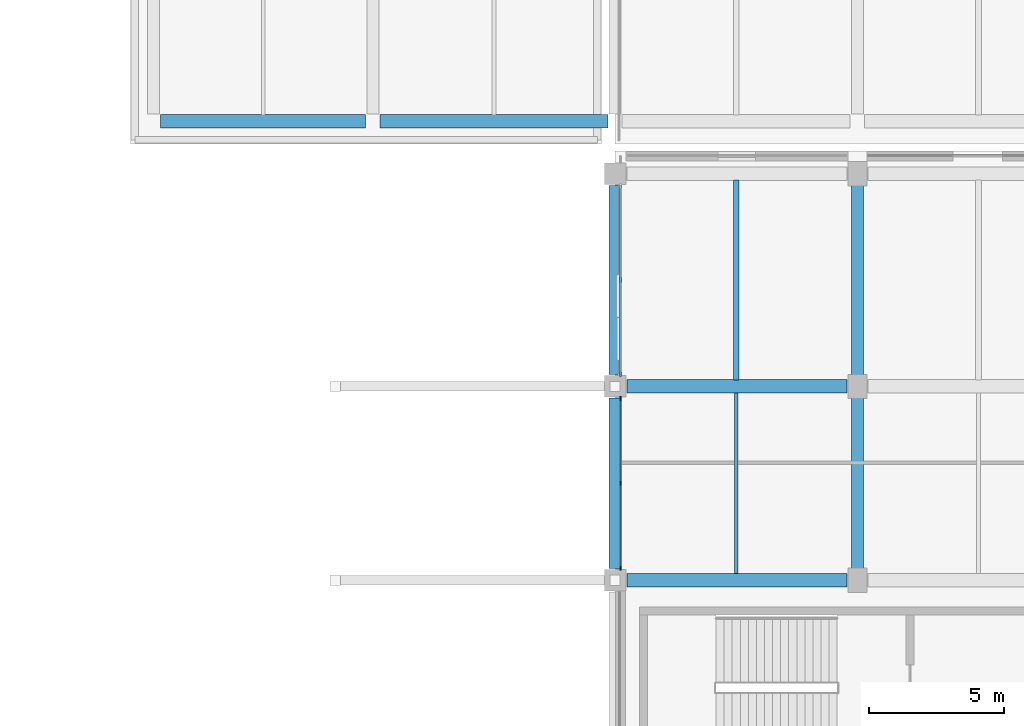
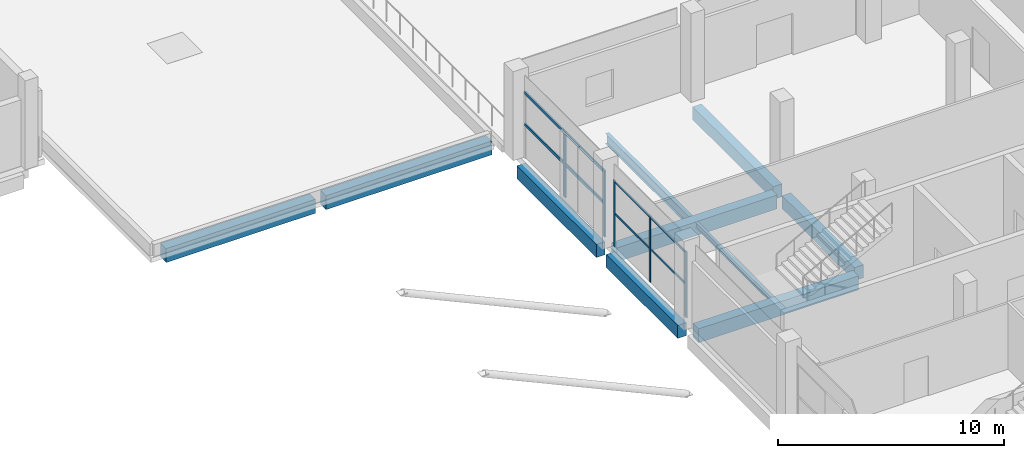
# One storey, part 30 of 82: 10 beams, 9 members, 2 elements without a shape of their own.
"""IFC4 building model written with IfcOpenShell, lengths in metres."""

from ifc_helpers import new_model, si_unit, direction, frame, origin, origin_2d, place, context, subcontext, project, spatial, rectangle, i_section, extrude, material, material_profile, profile_set, type_object, element, aggregate, save


model = new_model("IFC4")

# Units and contexts
model_context = context("Model", 3, precision=1e-05, world=origin(), true_north=direction((0.0, 1.0)))
body_context = subcontext(model_context, "Body", "Model", "MODEL_VIEW")
ifc_project = project(units=[si_unit("LENGTHUNIT", "METRE"), si_unit("AREAUNIT", "SQUARE_METRE"), si_unit("VOLUMEUNIT", "CUBIC_METRE"), si_unit("PLANEANGLEUNIT", "RADIAN"), si_unit("MASSUNIT", "GRAM", prefix="KILO"), si_unit("THERMODYNAMICTEMPERATUREUNIT", "KELVIN"), si_unit("POWERUNIT", "WATT")], contexts=[model_context])

# Site, building, storey
site_placement = place(None, origin())
site = spatial("IfcSite", under=ifc_project, at=site_placement, CompositionType="ELEMENT")
building_placement = place(site_placement, origin())
building = spatial("IfcBuilding", under=site, at=building_placement, Name="Sindhuravela Promenade Stadium", CompositionType="ELEMENT")
storey_placement = place(building_placement, frame((0.0, 0.0, 14.39990234375)))
storey = spatial("IfcBuildingStorey", under=building, at=storey_placement, Name="L03", CompositionType="ELEMENT", Elevation=14.39990234375)

# Curtain wall, members
ifc_material_1 = material(Name="Anodised architectural aluminium 6063-T6", Category="aluminium")
curtain_wall_type_1 = type_object("IfcCurtainWallType", Name="CW-MOD-7", PredefinedType="NOTDEFINED", material=ifc_material_1)
curtain_wall_1_placement = place(storey_placement, origin())
curtain_wall_1 = element("IfcCurtainWall", 1, at=curtain_wall_1_placement, inside=storey, type_object=curtain_wall_type_1, Name="Bronze curtain wall CW-EAST-L03-126", PredefinedType="NOTDEFINED")
ifc_material_profile_1 = material_profile(ifc_material_1, rectangle(XDim=0.074951171875, YDim=0.175048828125, at=origin_2d()), Name="ALU MULL 75x175")
ifc_profile_set_1 = profile_set([ifc_material_profile_1], Name="Anodised architectural aluminium 6063-T6")
member_type_1 = type_object("IfcMemberType", Name="CW-MUL-1", PredefinedType="MULLION", material=ifc_profile_set_1)
member_1_placement = place(storey_placement, frame((180.199951171875, 117.449951171875, 0.0), z_axis=(0.0, 0.0, 1.0), x_axis=(1.0, 0.0, 0.0)))
member_1 = element("IfcMember", 2, at=member_1_placement, type_object=member_type_1, Name="Curtain wall mullion CW-EAST-L03-126-M1", PredefinedType="MULLION", context=body_context, shape_type="SweptSolid", body=[
    extrude(rectangle(XDim=0.074951171875, YDim=0.175048828125, at=origin_2d()), origin(), (0.0, 0.0, 1.0), 3.580078125),
])
member_2_placement = place(storey_placement, frame((180.199951171875, 120.949951171875, 0.0), z_axis=(0.0, 0.0, 1.0), x_axis=(1.0, 0.0, 0.0)))
member_2 = element("IfcMember", 3, at=member_2_placement, type_object=member_type_1, Name="Curtain wall mullion CW-EAST-L03-126-M2", PredefinedType="MULLION", context=body_context, shape_type="SweptSolid", body=[
    extrude(rectangle(XDim=0.074951171875, YDim=0.175048828125, at=origin_2d()), origin(), (0.0, 0.0, 1.0), 3.580078125),
])

curtain_wall_type_2 = type_object("IfcCurtainWallType", Name="CW-MOD-6", PredefinedType="NOTDEFINED", material=ifc_material_1)
curtain_wall_2_placement = place(storey_placement, origin())
curtain_wall_2 = element("IfcCurtainWall", 4, at=curtain_wall_2_placement, inside=storey, type_object=curtain_wall_type_2, Name="Bronze curtain wall CW-EAST-L03-125", PredefinedType="NOTDEFINED")
ifc_material_profile_2 = material_profile(ifc_material_1, rectangle(XDim=0.054931640625, YDim=0.14990234375, at=origin_2d()), Name="ALU M55x150")
ifc_profile_set_2 = profile_set([ifc_material_profile_2], Name="Anodised architectural aluminium 6063-T6")
member_type_2 = type_object("IfcMemberType", Name="CW-MUL-6", PredefinedType="MULLION", material=ifc_profile_set_2)
member_3_placement = place(storey_placement, frame((180.199951171875, 110.25, 0.0), z_axis=(0.0, 0.0, 1.0), x_axis=(1.0, 0.0, 0.0)))
member_3 = element("IfcMember", 5, at=member_3_placement, type_object=member_type_2, Name="Curtain wall mullion CW-EAST-L03-125-M1", PredefinedType="MULLION", context=body_context, shape_type="SweptSolid", body=[
    extrude(rectangle(XDim=0.054931640625, YDim=0.14990234375, at=origin_2d()), origin(), (0.0, 0.0, 1.0), 3.580078125),
])
member_4_placement = place(storey_placement, frame((180.199951171875, 113.39990234375, 0.0), z_axis=(0.0, 0.0, 1.0), x_axis=(1.0, 0.0, 0.0)))
member_4 = element("IfcMember", 6, at=member_4_placement, type_object=member_type_2, Name="Curtain wall mullion CW-EAST-L03-125-M2", PredefinedType="MULLION", context=body_context, shape_type="SweptSolid", body=[
    extrude(rectangle(XDim=0.054931640625, YDim=0.14990234375, at=origin_2d()), origin(), (0.0, 0.0, 1.0), 3.580078125),
])
member_5_placement = place(storey_placement, frame((180.199951171875, 116.550048828125, 0.0), z_axis=(0.0, 0.0, 1.0), x_axis=(1.0, 0.0, 0.0)))
member_5 = element("IfcMember", 7, at=member_5_placement, type_object=member_type_2, Name="Curtain wall mullion CW-EAST-L03-125-M3", PredefinedType="MULLION", context=body_context, shape_type="SweptSolid", body=[
    extrude(rectangle(XDim=0.054931640625, YDim=0.14990234375, at=origin_2d()), origin(), (0.0, 0.0, 1.0), 3.580078125),
])

# Member
ifc_material_profile_3 = material_profile(ifc_material_1, rectangle(XDim=0.074951171875, YDim=0.14990234375, at=origin_2d()), Name="ALU TRAN 75x150")
ifc_profile_set_3 = profile_set([ifc_material_profile_3], Name="Anodised architectural aluminium 6063-T6")
member_type_3 = type_object("IfcMemberType", Name="CW-TRN-1", PredefinedType="USERDEFINED", material=ifc_profile_set_3)
member_6_placement = place(storey_placement, frame((180.199951171875, 117.425048828125, 1.7900390625), z_axis=(0.0, 1.0, 0.0), x_axis=(-1.0, 0.0, 0.0)))
member_6 = element("IfcMember", 8, at=member_6_placement, type_object=member_type_3, Name="Curtain wall transom CW-EAST-L03-126-T1", ObjectType="TRANSOM", PredefinedType="USERDEFINED", context=body_context, shape_type="SweptSolid", body=[
    extrude(rectangle(XDim=0.074951171875, YDim=0.14990234375, at=origin_2d()), origin(), (0.0, 0.0, 1.0), 7.050048828125),
])

member_7_placement = place(storey_placement, frame((180.199951171875, 117.425048828125, 3.5), z_axis=(0.0, 1.0, 0.0), x_axis=(-1.0, 0.0, 0.0)))
member_7 = element("IfcMember", 9, at=member_7_placement, type_object=member_type_3, Name="Curtain wall transom CW-EAST-L03-126-T2", ObjectType="TRANSOM", PredefinedType="USERDEFINED", context=body_context, shape_type="SweptSolid", body=[
    extrude(rectangle(XDim=0.074951171875, YDim=0.14990234375, at=origin_2d()), origin(), (0.0, 0.0, 1.0), 7.050048828125),
])

aggregate(curtain_wall_1, [member_1, member_2, member_6, member_7])

ifc_material_profile_4 = material_profile(ifc_material_1, rectangle(XDim=0.054931640625, YDim=0.10498046875, at=origin_2d()), Name="ALU T55x105")
ifc_profile_set_4 = profile_set([ifc_material_profile_4], Name="Anodised architectural aluminium 6063-T6")
member_type_4 = type_object("IfcMemberType", Name="CW-TRN-6", PredefinedType="USERDEFINED", material=ifc_profile_set_4)
member_8_placement = place(storey_placement, frame((180.199951171875, 110.22509765625, 1.7900390625), z_axis=(0.0, 1.0, 0.0), x_axis=(-1.0, 0.0, 0.0)))
member_8 = element("IfcMember", 10, at=member_8_placement, type_object=member_type_4, Name="Curtain wall transom CW-EAST-L03-125-T1", ObjectType="TRANSOM", PredefinedType="USERDEFINED", context=body_context, shape_type="SweptSolid", body=[
    extrude(rectangle(XDim=0.054931640625, YDim=0.10498046875, at=origin_2d()), origin(), (0.0, 0.0, 1.0), 6.349853515625),
])

member_9_placement = place(storey_placement, frame((180.199951171875, 110.22509765625, 3.5), z_axis=(0.0, 1.0, 0.0), x_axis=(-1.0, 0.0, 0.0)))
member_9 = element("IfcMember", 11, at=member_9_placement, type_object=member_type_4, Name="Curtain wall transom CW-EAST-L03-125-T2", ObjectType="TRANSOM", PredefinedType="USERDEFINED", context=body_context, shape_type="SweptSolid", body=[
    extrude(rectangle(XDim=0.054931640625, YDim=0.10498046875, at=origin_2d()), origin(), (0.0, 0.0, 1.0), 6.349853515625),
])

aggregate(curtain_wall_2, [member_3, member_4, member_5, member_8, member_9])

# Beams
ifc_material_2 = material(Name="Concrete M40", Category="concrete")
ifc_material_profile_5 = material_profile(ifc_material_2, rectangle(XDim=0.449951171875, YDim=0.699951171875, at=origin_2d()), Name="RC 450x700")
ifc_profile_set_5 = profile_set([ifc_material_profile_5], Name="Concrete M40")
beam_type_1 = type_object("IfcBeamType", Name="RC-BM-450x700", PredefinedType="BEAM", material=ifc_profile_set_5)
beam_1_placement = place(storey_placement, frame((180.0, 110.239990234375, -0.64990234375), z_axis=(0.0, 1.0, 0.0), x_axis=(-1.0, 0.0, 0.0)))
element("IfcBeam", 12, at=beam_1_placement, inside=storey, type_object=beam_type_1, Name="Primary beam GB07 EAST L03", PredefinedType="BEAM", context=body_context, shape_type="SweptSolid", body=[
    extrude(rectangle(XDim=0.449951171875, YDim=0.699951171875, at=origin_2d()), origin(), (0.0, 0.0, 1.0), 6.320068359375),
])
beam_2_placement = place(storey_placement, frame((180.0, 117.43994140625, -0.64990234375), z_axis=(0.0, 1.0, 0.0), x_axis=(-1.0, 0.0, 0.0)))
element("IfcBeam", 13, at=beam_2_placement, inside=storey, type_object=beam_type_1, Name="Primary beam GB07 EAST L03", PredefinedType="BEAM", context=body_context, shape_type="SweptSolid", body=[
    extrude(rectangle(XDim=0.449951171875, YDim=0.699951171875, at=origin_2d()), origin(), (0.0, 0.0, 1.0), 7.02001953125),
])
beam_3_placement = place(storey_placement, frame((189.0, 110.18994140625, -0.64990234375), z_axis=(0.0, 1.0, 0.0), x_axis=(-1.0, 0.0, 0.0)))
element("IfcBeam", 14, at=beam_3_placement, inside=storey, type_object=beam_type_1, Name="Primary beam GB07 EAST L03", PredefinedType="BEAM", context=body_context, shape_type="SweptSolid", body=[
    extrude(rectangle(XDim=0.449951171875, YDim=0.699951171875, at=origin_2d()), origin(), (0.0, 0.0, 1.0), 6.420166015625),
])
beam_4_placement = place(storey_placement, frame((189.0, 117.389892578125, -0.64990234375), z_axis=(0.0, 1.0, 0.0), x_axis=(-1.0, 0.0, 0.0)))
element("IfcBeam", 15, at=beam_4_placement, inside=storey, type_object=beam_type_1, Name="Primary beam GB07 EAST L03", PredefinedType="BEAM", context=body_context, shape_type="SweptSolid", body=[
    extrude(rectangle(XDim=0.449951171875, YDim=0.699951171875, at=origin_2d()), origin(), (0.0, 0.0, 1.0), 7.1201171875),
])
ifc_material_profile_6 = material_profile(ifc_material_2, rectangle(XDim=0.5, YDim=0.75, at=origin_2d()), Name="RC 500x750")
ifc_profile_set_6 = profile_set([ifc_material_profile_6], Name="Concrete M40")
beam_type_2 = type_object("IfcBeamType", Name="RC-BM-500x750", PredefinedType="BEAM", material=ifc_profile_set_6)
for number, where, z_axis, x_axis, name in (
    (16, (180.43994140625, 109.800048828125, -0.6748046875), (1.0, 0.0, 0.0), (0.0, 1.0, 0.0), "Primary girder GB06 EAST L03"),
    (17, (180.43994140625, 117.0, -0.6748046875), (1.0, 0.0, 0.0), (0.0, 1.0, 0.0), "Primary girder GB06 EAST L03"),
):
    element("IfcBeam", number, at=place(storey_placement, frame(where, z_axis=z_axis, x_axis=x_axis)), inside=storey, type_object=beam_type_2, Name=name, PredefinedType="BEAM", context=body_context, shape_type="SweptSolid", body=[
        extrude(rectangle(XDim=0.5, YDim=0.75, at=origin_2d()), origin(), (0.0, 0.0, 1.0), 8.170166015625),
    ])
beam_5_placement = place(storey_placement, frame((163.114990234375, 126.85009765625, -0.619873046875), z_axis=(1.0, 0.0, 0.0), x_axis=(0.0, 1.0, 0.0)))
element("IfcBeam", 18, at=beam_5_placement, inside=storey, type_object=beam_type_2, Name="Primary girder GB06 Pavilion NE L03", PredefinedType="BEAM", context=body_context, shape_type="SweptSolid", body=[
    extrude(rectangle(XDim=0.5, YDim=0.75, at=origin_2d()), origin(), (0.0, 0.0, 1.0), 7.6201171875),
])
beam_6_placement = place(storey_placement, frame((171.264892578125, 126.85009765625, -0.619873046875), z_axis=(1.0, 0.0, 0.0), x_axis=(0.0, 1.0, 0.0)))
element("IfcBeam", 19, at=beam_6_placement, inside=storey, type_object=beam_type_2, Name="Primary girder GB06 Pavilion NE L03", PredefinedType="BEAM", context=body_context, shape_type="SweptSolid", body=[
    extrude(rectangle(XDim=0.5, YDim=0.75, at=origin_2d()), origin(), (0.0, 0.0, 1.0), 8.47021484375),
])
ifc_material_3 = material(Name="Steel E350 (IS 2062 E350BR)", Category="steel")
ifc_material_profile_7 = material_profile(ifc_material_3, i_section(OverallWidth=0.139892578125, OverallDepth=0.300048828125, WebThickness=0.0078125, FlangeThickness=0.01318359375, FilletRadius=0.013916015625, at=origin_2d()), Name="ISMB 300")
ifc_profile_set_7 = profile_set([ifc_material_profile_7], Name="Steel E350 (IS 2062 E350BR)")
beam_type_3 = type_object("IfcBeamType", Name="ST-BM-MB300", PredefinedType="JOIST", material=ifc_profile_set_7)
beam_7_placement = place(storey_placement, frame((184.5, 110.0400390625, -0.449951171875), z_axis=(0.0, 1.0, 0.0), x_axis=(-1.0, 0.0, 0.0)))
element("IfcBeam", 20, at=beam_7_placement, inside=storey, type_object=beam_type_3, Name="Secondary floor joist SB03 EAST L03", PredefinedType="JOIST", context=body_context, shape_type="SweptSolid", body=[
    extrude(i_section(OverallWidth=0.139892578125, OverallDepth=0.300048828125, WebThickness=0.0078125, FlangeThickness=0.01318359375, FilletRadius=0.013916015625, at=origin_2d()), origin(), (0.0, 0.0, 1.0), 6.719970703125),
])
ifc_material_profile_8 = material_profile(ifc_material_3, i_section(OverallWidth=0.18994140625, OverallDepth=0.550048828125, WebThickness=0.01123046875, FlangeThickness=0.019287109375, FilletRadius=0.01806640625, at=origin_2d()), Name="ISMB 550")
ifc_profile_set_8 = profile_set([ifc_material_profile_8], Name="Steel E350 (IS 2062 E350BR)")
beam_type_4 = type_object("IfcBeamType", Name="ST-BM-MB550", PredefinedType="SPANDREL", material=ifc_profile_set_8)
beam_8_placement = place(storey_placement, frame((184.5, 117.239990234375, -0.574951171875), z_axis=(0.0, 1.0, 0.0), x_axis=(-1.0, 0.0, 0.0)))
element("IfcBeam", 21, at=beam_8_placement, inside=storey, type_object=beam_type_4, Name="Secondary floor joist SB08 EAST L03", PredefinedType="SPANDREL", context=body_context, shape_type="SweptSolid", body=[
    extrude(i_section(OverallWidth=0.18994140625, OverallDepth=0.550048828125, WebThickness=0.01123046875, FlangeThickness=0.019287109375, FilletRadius=0.01806640625, at=origin_2d()), origin(), (0.0, 0.0, 1.0), 7.419921875),
])

save(model, "model.ifc")
